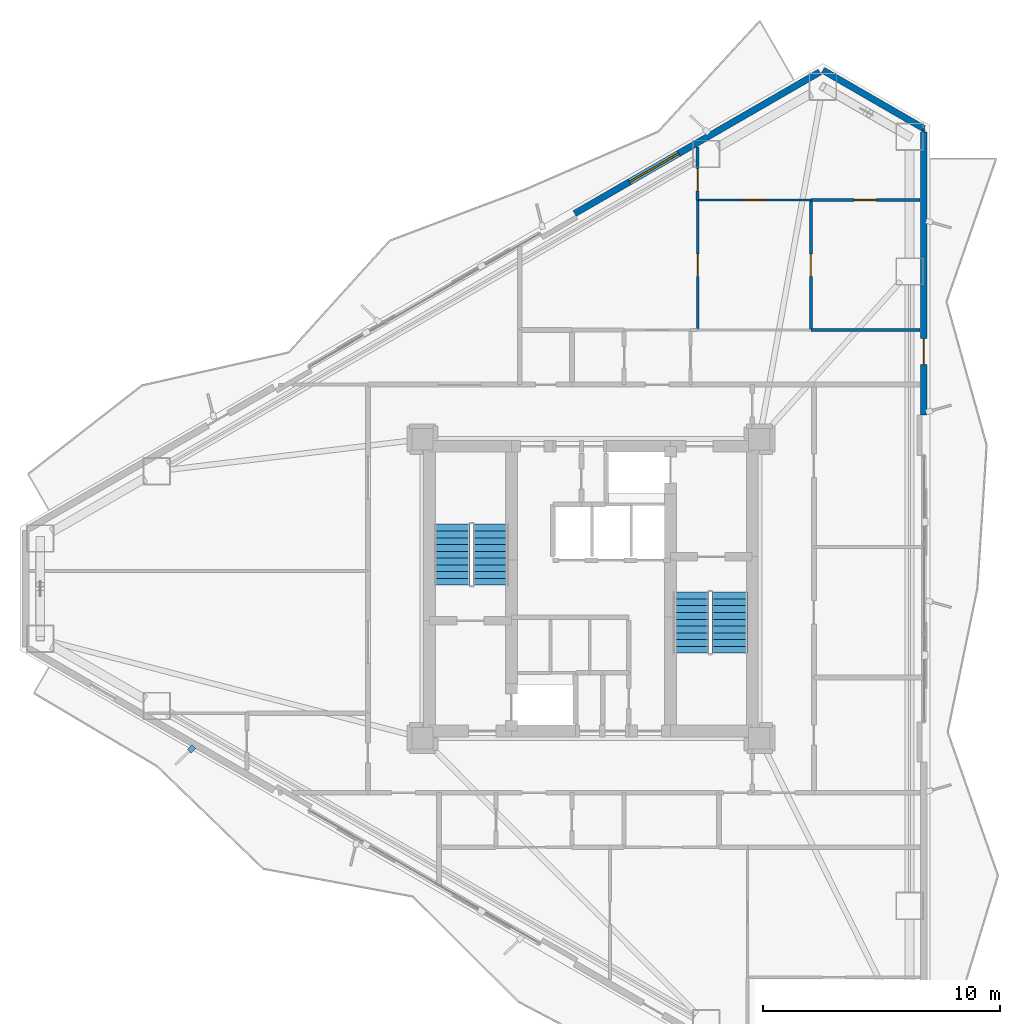
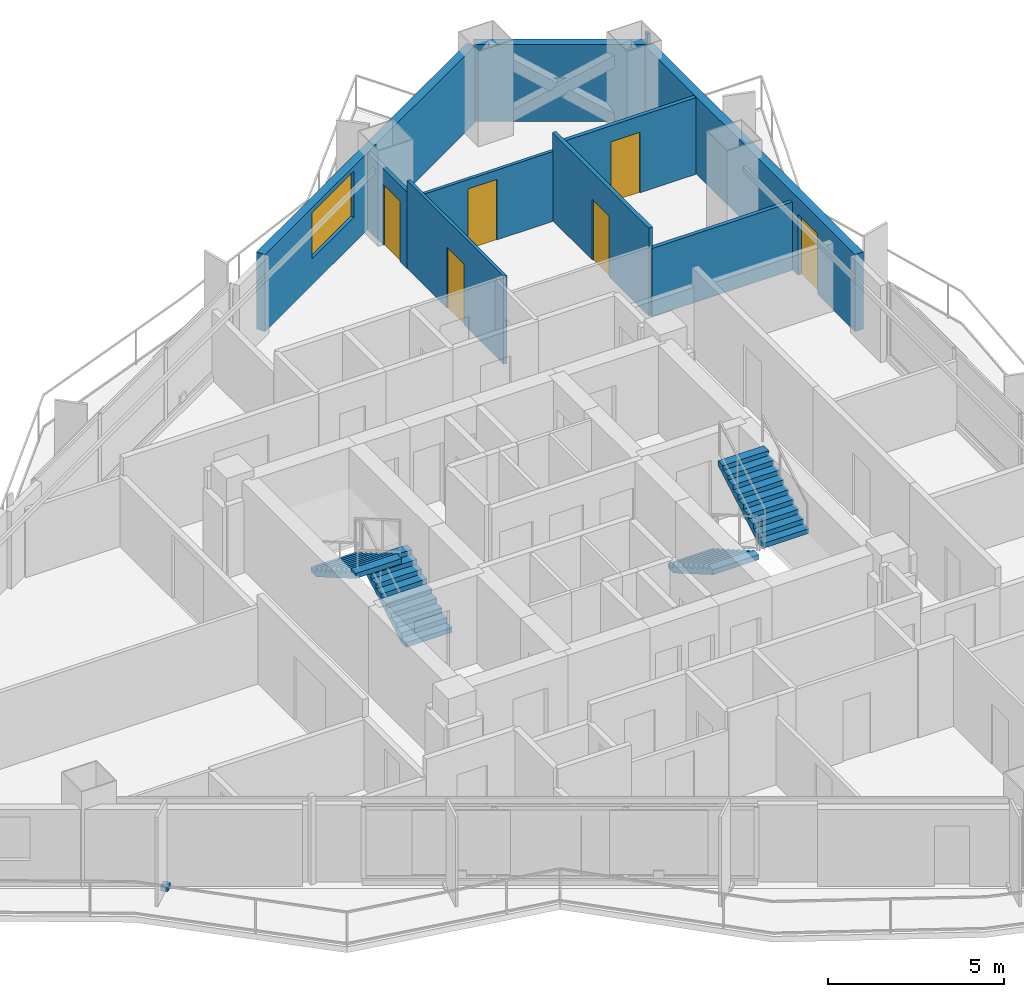
# One storey, part 19 of 22: 10 walls, 6 doors, 4 stair flights, 1 discrete accessory, 1 window, 7 openings, 2 elements without a shape of their own.
"""IFC4 building model written with IfcOpenShell, lengths in metres."""

from ifc_helpers import new_model, si_unit, direction, frame, frame_2d, origin, origin_2d, place, context, subcontext, project, spatial, polyline, rectangle, outline, extrude, material, layer, layer_set, type_object, element, fill, aggregate, save


model = new_model("IFC4")

# Units and contexts
model_context = context("Model", 3, precision=1e-05, world=origin(), true_north=direction((0.0, 1.0)))
body_context = subcontext(model_context, "Body", "Model", "MODEL_VIEW")
ifc_project = project(units=[si_unit("LENGTHUNIT", "METRE"), si_unit("AREAUNIT", "SQUARE_METRE"), si_unit("VOLUMEUNIT", "CUBIC_METRE"), si_unit("PLANEANGLEUNIT", "RADIAN"), si_unit("MASSUNIT", "GRAM", prefix="KILO")], contexts=[model_context])

# Site, building, storey
site_placement = place(None, origin())
site = spatial("IfcSite", under=ifc_project, at=site_placement, CompositionType="ELEMENT")
building_placement = place(site_placement, origin())
building = spatial("IfcBuilding", under=site, at=building_placement, Name="Mersakhor Tower and Convention Hall", CompositionType="ELEMENT")
storey_placement = place(building_placement, frame((0.0, 0.0, 90.0)))
storey = spatial("IfcBuildingStorey", under=building, at=storey_placement, Name="L24", CompositionType="ELEMENT", Elevation=90.0)

# Wall
ifc_material_1 = material(Name="Precast concrete C45/55", Category="concrete")
ifc_layer_1 = layer(ifc_material_1, 0.27490234375)
ifc_layer_set_1 = layer_set([ifc_layer_1], Name="Precast concrete C45/55")
wall_type_1 = type_object("IfcWallType", Name="WL-EXT-275", PredefinedType="SOLIDWALL", material=ifc_layer_set_1)
wall_1_placement = place(storey_placement, frame((38.77880859375, 48.6015625, 0.0), z_axis=(0.0, 0.0, 1.0), x_axis=(0.866011848704, -0.500023477353, 0.0)))
element("IfcWall", 1, at=wall_1_placement, inside=storey, type_object=wall_type_1, Name="L24 Chamfer Braced Spandrel Wall C1", PredefinedType="SOLIDWALL", context=body_context, shape_type="SweptSolid", body=[
    extrude(rectangle(XDim=4.914306640625, YDim=0.27490234375, at=frame_2d((2.45703125, 0.0))), origin(), (0.0, 0.0, 1.0), 2.669921875),
])

# Wall, opening, window
wall_2_placement = place(storey_placement, frame((28.3173828125, 42.561767578125, 0.0), z_axis=(0.0, 0.0, 1.0), x_axis=(0.866023023012, 0.500004123596, 0.0)))
wall_2 = element("IfcWall", 2, at=wall_2_placement, inside=storey, type_object=wall_type_1, Name="L24 Exterior Facade Wall F1-B3", PredefinedType="SOLIDWALL", context=body_context, shape_type="SweptSolid", body=[
    extrude(rectangle(XDim=11.9296875, YDim=0.27490234375, at=frame_2d((5.96484375, 0.0))), origin(), (0.0, 0.0, 1.0), 2.669921875),
])
opening_1_placement = place(wall_2_placement, frame((2.66796875, 0.0, 0.89990234375)))
opening_1 = element("IfcOpeningElement", 3, at=opening_1_placement, cuts=wall_2, Name="Opening W-05", PredefinedType="OPENING", context=body_context, shape_type="SweptSolid", body=[
    extrude(rectangle(XDim=2.39990234375, YDim=1.60009765625, at=frame_2d((1.199951171875, 0.800048828125))), frame((0.0, 0.1474609375, 0.0), z_axis=(0.0, -1.0, 0.0), x_axis=(1.0, 0.0, 0.0)), (0.0, 0.0, 1.0), 0.294921875),
])
ifc_material_2 = material(Name="Dark solar low-E glazed aluminium window", Category="aluminium")
window_type = type_object("IfcWindowType", Name="WN-RES-240x160", PartitioningType="SINGLE_PANEL", PredefinedType="WINDOW", material=ifc_material_2)
window_placement = place(opening_1_placement, origin())
window = element("IfcWindow", 4, at=window_placement, inside=storey, type_object=window_type, Name="L24 Facade Punched Window F1-B3", OverallHeight=1.60009765625, OverallWidth=2.39990234375, PartitioningType="SINGLE_PANEL", PredefinedType="WINDOW", context=body_context, shape_type="SweptSolid", body=[
    extrude(rectangle(XDim=2.39990234375, YDim=1.60009765625, at=frame_2d((1.199951171875, 0.800048828125))), frame((0.0, 0.030029296875, 0.0), z_axis=(0.0, -1.0, 0.0), x_axis=(1.0, 0.0, 0.0)), (0.0, 0.0, 1.0), 0.06005859375),
])
fill(opening_1, window)

# Wall, opening, door
wall_3_placement = place(storey_placement, frame((43.03466796875, 45.994384765625, 0.0), z_axis=(0.0, 0.0, 1.0), x_axis=(0.0, -1.0, 0.0)))
wall_3 = element("IfcWall", 5, at=wall_3_placement, inside=storey, type_object=wall_type_1, Name="L24 Exterior Facade Wall F2-B1", PredefinedType="SOLIDWALL", context=body_context, shape_type="SweptSolid", body=[
    extrude(rectangle(XDim=11.9296875, YDim=0.27490234375, at=frame_2d((5.96484375, 0.0))), origin(), (0.0, 0.0, 1.0), 2.669921875),
])
opening_2_placement = place(wall_3_placement, frame((8.7041015625, 0.0, 0.0)))
opening_2 = element("IfcOpeningElement", 6, at=opening_2_placement, cuts=wall_3, Name="Opening BD-02", PredefinedType="OPENING", context=body_context, shape_type="SweptSolid", body=[
    extrude(rectangle(XDim=1.10009765625, YDim=2.10009765625, at=frame_2d((0.550048828125, 1.050048828125))), frame((0.0, 0.1474609375, 0.0), z_axis=(0.0, -1.0, 0.0), x_axis=(1.0, 0.0, 0.0)), (0.0, 0.0, 1.0), 0.294921875),
])
ifc_material_3 = material(Name="Thermally broken dark aluminium and safety glass", Category="aluminium")
door_type_1 = type_object("IfcDoorType", Name="DR-BAL-110x210", OperationType="NOTDEFINED", PredefinedType="DOOR", material=ifc_material_3)
door_1_placement = place(opening_2_placement, origin())
door_1 = element("IfcDoor", 7, at=door_1_placement, inside=storey, type_object=door_type_1, Name="L24 Balcony Terrace Door F2-B1", OperationType="SINGLE_SWING_RIGHT", OverallHeight=2.10009765625, OverallWidth=1.10009765625, PredefinedType="DOOR", context=body_context, shape_type="SweptSolid", body=[
    extrude(rectangle(XDim=1.10009765625, YDim=2.10009765625, at=frame_2d((0.550048828125, 1.050048828125))), frame((0.0, 0.02490234375, 0.0), z_axis=(0.0, -1.0, 0.0), x_axis=(1.0, 0.0, 0.0)), (0.0, 0.0, 1.0), 0.050048828125),
])
fill(opening_2, door_1)

ifc_material_4 = material(Name="Lightweight gypsum partition", Category="other")
ifc_layer_2 = layer(ifc_material_4, 0.10009765625)
ifc_layer_set_2 = layer_set([ifc_layer_2], Name="Lightweight gypsum partition")
wall_type_2 = type_object("IfcWallType", Name="WL-PRT-100", PredefinedType="PARTITIONING", material=ifc_layer_set_2)
wall_4_placement = place(storey_placement, frame((33.5, 43.1298828125, 0.0), z_axis=(0.0, 0.0, 1.0), x_axis=(0.0, -1.0, 0.0)))
wall_4 = element("IfcWall", 8, at=wall_4_placement, inside=storey, type_object=wall_type_2, Name="L24 Interior Partition Wall P-098", PredefinedType="PARTITIONING", context=body_context, shape_type="SweptSolid", body=[
    extrude(rectangle(XDim=5.47998046875, YDim=0.10009765625, at=frame_2d((2.739990234375, 0.0))), origin(), (0.0, 0.0, 1.0), 3.050048828125),
])
opening_3_placement = place(wall_4_placement, frame((2.264892578125, 0.0, 0.0)))
opening_3 = element("IfcOpeningElement", 9, at=opening_3_placement, cuts=wall_4, Name="Opening RD-01", PredefinedType="OPENING", context=body_context, shape_type="SweptSolid", body=[
    extrude(rectangle(XDim=0.949951171875, YDim=2.10009765625, at=frame_2d((0.47509765625, 1.050048828125))), frame((0.0, 0.06005859375, 0.0), z_axis=(0.0, -1.0, 0.0), x_axis=(1.0, 0.0, 0.0)), (0.0, 0.0, 1.0), 0.1201171875),
])
ifc_material_5 = material(Name="Solid-core hardwood leaf in painted steel frame", Category="steel")
door_type_2 = type_object("IfcDoorType", Name="DR-INT-RM-095x210", OperationType="NOTDEFINED", PredefinedType="DOOR", material=ifc_material_5)
door_2_placement = place(opening_3_placement, origin())
door_2 = element("IfcDoor", 10, at=door_2_placement, inside=storey, type_object=door_type_2, Name="L24 L24 Flat N1 Living and Dining Room to L24 Flat N1 Bedroom 1 Door", OperationType="SINGLE_SWING_RIGHT", OverallHeight=2.10009765625, OverallWidth=0.949951171875, PredefinedType="DOOR", context=body_context, shape_type="SweptSolid", body=[
    extrude(rectangle(XDim=0.949951171875, YDim=2.10009765625, at=frame_2d((0.47509765625, 1.050048828125))), frame((0.0, 0.02490234375, 0.0), z_axis=(0.0, -1.0, 0.0), x_axis=(1.0, 0.0, 0.0)), (0.0, 0.0, 1.0), 0.050048828125),
])
fill(opening_3, door_2)

wall_5_placement = place(storey_placement, frame((33.5, 43.1298828125, 0.0), z_axis=(0.0, 0.0, 1.0), x_axis=(1.0, 0.0, 0.0)))
wall_5 = element("IfcWall", 11, at=wall_5_placement, inside=storey, type_object=wall_type_2, Name="L24 Interior Partition Wall P-100", PredefinedType="PARTITIONING", context=body_context, shape_type="SweptSolid", body=[
    extrude(rectangle(XDim=4.77001953125, YDim=0.10009765625, at=frame_2d((2.385009765625, 0.0))), origin(), (0.0, 0.0, 1.0), 2.4228515625),
])
opening_4_placement = place(wall_5_placement, frame((1.909912109375, 0.0, 0.0)))
opening_4 = element("IfcOpeningElement", 12, at=opening_4_placement, cuts=wall_5, Name="Opening RD-01", PredefinedType="OPENING", context=body_context, shape_type="SweptSolid", body=[
    extrude(rectangle(XDim=0.949951171875, YDim=2.10009765625, at=frame_2d((0.47509765625, 1.050048828125))), frame((0.0, 0.06005859375, 0.0), z_axis=(0.0, -1.0, 0.0), x_axis=(1.0, 0.0, 0.0)), (0.0, 0.0, 1.0), 0.1201171875),
])
door_3_placement = place(opening_4_placement, origin())
door_3 = element("IfcDoor", 13, at=door_3_placement, inside=storey, type_object=door_type_2, Name="L24 L24 Flat N1 Bedroom 1 to L24 Flat N1 Dining Room Door", OperationType="SINGLE_SWING_LEFT", OverallHeight=2.10009765625, OverallWidth=0.949951171875, PredefinedType="DOOR", context=body_context, shape_type="SweptSolid", body=[
    extrude(rectangle(XDim=0.949951171875, YDim=2.10009765625, at=frame_2d((0.47509765625, 1.050048828125))), frame((0.0, 0.02490234375, 0.0), z_axis=(0.0, -1.0, 0.0), x_axis=(1.0, 0.0, 0.0)), (0.0, 0.0, 1.0), 0.050048828125),
])
fill(opening_4, door_3)

# Walls
wall_6_placement = place(storey_placement, frame((43.034912109375, 46.14404296875, 0.0), z_axis=(0.0, 0.0, 1.0), x_axis=(0.0, -1.0, 0.0)))
element("IfcWall", 14, at=wall_6_placement, inside=storey, type_object=wall_type_2, Name="L24 Interior Partition Wall P-102", PredefinedType="PARTITIONING", context=body_context, shape_type="SweptSolid", body=[
    extrude(rectangle(XDim=0.149658203125, YDim=0.10009765625, at=frame_2d((0.07470703125, 0.0))), origin(), (0.0, 0.0, 1.0), 3.050048828125),
])
ifc_material_6 = material(Name="Gypsum board acoustic partition", Category="other")
ifc_layer_3 = layer(ifc_material_6, 0.125)
ifc_layer_set_3 = layer_set([ifc_layer_3], Name="Gypsum board acoustic partition")
wall_type_3 = type_object("IfcWallType", Name="WL-PRT-125", PredefinedType="PARTITIONING", material=ifc_layer_set_3)
wall_7_placement = place(storey_placement, frame((38.27001953125, 37.64990234375, 0.0), z_axis=(0.0, 0.0, 1.0), x_axis=(1.0, 0.0, 0.0)))
element("IfcWall", 15, at=wall_7_placement, inside=storey, type_object=wall_type_3, Name="L24 Interior Partition Wall P-077", PredefinedType="PARTITIONING", context=body_context, shape_type="SweptSolid", body=[
    extrude(rectangle(XDim=4.60302734375, YDim=0.125, at=frame_2d((2.301513671875, 0.0))), origin(), (0.0, 0.0, 1.0), 2.364990234375),
])

# Wall, opening, door
wall_8_placement = place(storey_placement, frame((33.5, 45.3671875, 0.0), z_axis=(0.0, 0.0, 1.0), x_axis=(0.0, -1.0, 0.0)))
wall_8 = element("IfcWall", 16, at=wall_8_placement, inside=storey, type_object=wall_type_3, Name="L24 Interior Partition Wall P-097", PredefinedType="PARTITIONING", context=body_context, shape_type="SweptSolid", body=[
    extrude(rectangle(XDim=2.2373046875, YDim=0.125, at=frame_2d((1.11865234375, 0.0))), origin(), (0.0, 0.0, 1.0), 2.660400390625),
])
opening_5_placement = place(wall_8_placement, frame((0.897216796875, 0.0, 0.0)))
opening_5 = element("IfcOpeningElement", 17, at=opening_5_placement, cuts=wall_8, Name="Opening RD-01", PredefinedType="OPENING", context=body_context, shape_type="SweptSolid", body=[
    extrude(rectangle(XDim=0.949951171875, YDim=2.10009765625, at=frame_2d((0.47509765625, 1.050048828125))), frame((0.0, 0.072509765625, 0.0), z_axis=(0.0, -1.0, 0.0), x_axis=(1.0, 0.0, 0.0)), (0.0, 0.0, 1.0), 0.14501953125),
])
door_4_placement = place(opening_5_placement, origin())
door_4 = element("IfcDoor", 18, at=door_4_placement, inside=storey, type_object=door_type_2, Name="L24 L24 Flat N1 Living and Dining Room to L24 Flat N1 Dining Room Door", OperationType="SINGLE_SWING_LEFT", OverallHeight=2.10009765625, OverallWidth=0.949951171875, PredefinedType="DOOR", context=body_context, shape_type="SweptSolid", body=[
    extrude(rectangle(XDim=0.949951171875, YDim=2.10009765625, at=frame_2d((0.47509765625, 1.050048828125))), frame((0.0, 0.02490234375, 0.0), z_axis=(0.0, -1.0, 0.0), x_axis=(1.0, 0.0, 0.0)), (0.0, 0.0, 1.0), 0.050048828125),
])
fill(opening_5, door_4)

wall_9_placement = place(storey_placement, frame((38.27001953125, 43.1298828125, 0.0), z_axis=(0.0, 0.0, 1.0), x_axis=(0.0, -1.0, 0.0)))
wall_9 = element("IfcWall", 19, at=wall_9_placement, inside=storey, type_object=wall_type_3, Name="L24 Interior Partition Wall P-099", PredefinedType="PARTITIONING", context=body_context, shape_type="SweptSolid", body=[
    extrude(rectangle(XDim=5.47998046875, YDim=0.125, at=frame_2d((2.739990234375, 0.0))), origin(), (0.0, 0.0, 1.0), 3.050048828125),
])
opening_6_placement = place(wall_9_placement, frame((2.264892578125, 0.0, 0.0)))
opening_6 = element("IfcOpeningElement", 20, at=opening_6_placement, cuts=wall_9, Name="Opening RD-01", PredefinedType="OPENING", context=body_context, shape_type="SweptSolid", body=[
    extrude(rectangle(XDim=0.949951171875, YDim=2.10009765625, at=frame_2d((0.47509765625, 1.050048828125))), frame((0.0, 0.072509765625, 0.0), z_axis=(0.0, -1.0, 0.0), x_axis=(1.0, 0.0, 0.0)), (0.0, 0.0, 1.0), 0.14501953125),
])
door_5_placement = place(opening_6_placement, origin())
door_5 = element("IfcDoor", 21, at=door_5_placement, inside=storey, type_object=door_type_2, Name="L24 L24 Flat N1 Bedroom 1 to L24 Flat N1 Study Room Door", OperationType="SINGLE_SWING_RIGHT", OverallHeight=2.10009765625, OverallWidth=0.949951171875, PredefinedType="DOOR", context=body_context, shape_type="SweptSolid", body=[
    extrude(rectangle(XDim=0.949951171875, YDim=2.10009765625, at=frame_2d((0.47509765625, 1.050048828125))), frame((0.0, 0.02490234375, 0.0), z_axis=(0.0, -1.0, 0.0), x_axis=(1.0, 0.0, 0.0)), (0.0, 0.0, 1.0), 0.050048828125),
])
fill(opening_6, door_5)

wall_10_placement = place(storey_placement, frame((38.27001953125, 43.1298828125, 0.0), z_axis=(0.0, 0.0, 1.0), x_axis=(1.0, 0.0, 0.0)))
wall_10 = element("IfcWall", 22, at=wall_10_placement, inside=storey, type_object=wall_type_3, Name="L24 Interior Partition Wall P-101", PredefinedType="PARTITIONING", context=body_context, shape_type="SweptSolid", body=[
    extrude(rectangle(XDim=4.60302734375, YDim=0.125, at=frame_2d((2.301513671875, 0.0))), origin(), (0.0, 0.0, 1.0), 2.660400390625),
])
opening_7_placement = place(wall_10_placement, frame((1.826416015625, 0.0, 0.0)))
opening_7 = element("IfcOpeningElement", 23, at=opening_7_placement, cuts=wall_10, Name="Opening RD-01", PredefinedType="OPENING", context=body_context, shape_type="SweptSolid", body=[
    extrude(rectangle(XDim=0.949951171875, YDim=2.10009765625, at=frame_2d((0.47509765625, 1.050048828125))), frame((0.0, 0.072509765625, 0.0), z_axis=(0.0, -1.0, 0.0), x_axis=(1.0, 0.0, 0.0)), (0.0, 0.0, 1.0), 0.14501953125),
])
door_6_placement = place(opening_7_placement, origin())
door_6 = element("IfcDoor", 24, at=door_6_placement, inside=storey, type_object=door_type_2, Name="L24 L24 Flat N1 Study Room to L24 Flat N1 Dining Room Door", OperationType="SINGLE_SWING_RIGHT", OverallHeight=2.10009765625, OverallWidth=0.949951171875, PredefinedType="DOOR", context=body_context, shape_type="SweptSolid", body=[
    extrude(rectangle(XDim=0.949951171875, YDim=2.10009765625, at=frame_2d((0.47509765625, 1.050048828125))), frame((0.0, 0.02490234375, 0.0), z_axis=(0.0, -1.0, 0.0), x_axis=(1.0, 0.0, 0.0)), (0.0, 0.0, 1.0), 0.050048828125),
])
fill(opening_7, door_6)

# Stair, stair flights
ifc_material_7 = material(Name="Concrete C45/55", Category="concrete")
stair_type = type_object("IfcStairType", Name="ST-TWR-20R", PredefinedType="HALF_TURN_STAIR", material=ifc_material_7)
stair_1_placement = place(storey_placement, origin())
stair_1 = element("IfcStair", 25, at=stair_1_placement, inside=storey, type_object=stair_type, Name="L24 Tower Protected Exit Stair ST-1", PredefinedType="HALF_TURN_STAIR")
ifc_material_8 = material(Name="Concrete C45/55", Category="concrete")
stair_flight_type = type_object("IfcStairFlightType", Name="SFL-TWR-20R", PredefinedType="STRAIGHT", material=ifc_material_8)
stair_flight_1_placement = place(storey_placement, frame((24.800048828125, 26.89990234375, 0.0), z_axis=(0.0, 0.0, 1.0), x_axis=(0.0, 1.0, 0.0)))
stair_flight_1 = element("IfcStairFlight", 26, at=stair_flight_1_placement, type_object=stair_flight_type, Name="ST-1 flight 1", NumberOfRisers=10, NumberOfTreads=9, PredefinedType="STRAIGHT", RiserHeight=0.165, TreadLength=0.285, context=body_context, shape_type="SweptSolid", body=[
    extrude(outline(polyline([(0.0, 0.0), (0.0, 0.1650390625), (0.284912109375, 0.1650390625), (0.284912109375, 0.330078125), (0.570068359375, 0.330078125), (0.570068359375, 0.4951171875), (0.85498046875, 0.4951171875), (0.85498046875, 0.659912109375), (1.139892578125, 0.659912109375), (1.139892578125, 0.824951171875), (1.425048828125, 0.824951171875), (1.425048828125, 0.989990234375), (1.7099609375, 0.989990234375), (1.7099609375, 1.155029296875), (1.9951171875, 1.155029296875), (1.9951171875, 1.320068359375), (2.280029296875, 1.320068359375), (2.280029296875, 1.485107421875), (2.56494140625, 1.485107421875), (2.56494140625, 1.64990234375), (2.56494140625, 1.311767578125), (0.299072265625, 0.0), (0.0, 0.0)])), frame((0.0, 0.75, 0.0), z_axis=(0.0, -1.0, 0.0), x_axis=(1.0, 0.0, 0.0)), (0.0, 0.0, 1.0), 1.5),
])
stair_flight_2_placement = place(storey_placement, frame((23.14990234375, 29.465087890625, 1.64990234375), z_axis=(0.0, 0.0, 1.0), x_axis=(0.0, -1.0, 0.0)))
stair_flight_2 = element("IfcStairFlight", 27, at=stair_flight_2_placement, type_object=stair_flight_type, Name="ST-1 flight 2", NumberOfRisers=10, NumberOfTreads=9, PredefinedType="STRAIGHT", RiserHeight=0.165, TreadLength=0.285, context=body_context, shape_type="SweptSolid", body=[
    extrude(outline(polyline([(0.0, 0.0), (0.0, 0.1650390625), (0.284912109375, 0.1650390625), (0.284912109375, 0.330078125), (0.570068359375, 0.330078125), (0.570068359375, 0.4951171875), (0.85498046875, 0.4951171875), (0.85498046875, 0.659912109375), (1.139892578125, 0.659912109375), (1.139892578125, 0.824951171875), (1.425048828125, 0.824951171875), (1.425048828125, 0.989990234375), (1.7099609375, 0.989990234375), (1.7099609375, 1.155029296875), (1.9951171875, 1.155029296875), (1.9951171875, 1.320068359375), (2.280029296875, 1.320068359375), (2.280029296875, 1.485107421875), (2.56494140625, 1.485107421875), (2.56494140625, 1.64990234375), (2.56494140625, 1.311767578125), (0.299072265625, 0.0), (0.0, 0.0)])), frame((0.0, 0.75, 0.0), z_axis=(0.0, -1.0, 0.0), x_axis=(1.0, 0.0, 0.0)), (0.0, 0.0, 1.0), 1.5),
])
aggregate(stair_1, [stair_flight_1, stair_flight_2])

stair_2_placement = place(storey_placement, origin())
stair_2 = element("IfcStair", 28, at=stair_2_placement, inside=storey, type_object=stair_type, Name="L24 Tower Protected Exit Stair ST-2", PredefinedType="HALF_TURN_STAIR")
stair_flight_3_placement = place(storey_placement, frame((33.199951171875, 26.60009765625, 0.0), z_axis=(0.0, 0.0, 1.0), x_axis=(0.0, -1.0, 0.0)))
stair_flight_3 = element("IfcStairFlight", 29, at=stair_flight_3_placement, type_object=stair_flight_type, Name="ST-2 flight 1", NumberOfRisers=10, NumberOfTreads=9, PredefinedType="STRAIGHT", RiserHeight=0.165, TreadLength=0.285, context=body_context, shape_type="SweptSolid", body=[
    extrude(outline(polyline([(0.0, 0.0), (0.0, 0.1650390625), (0.284912109375, 0.1650390625), (0.284912109375, 0.330078125), (0.570068359375, 0.330078125), (0.570068359375, 0.4951171875), (0.85498046875, 0.4951171875), (0.85498046875, 0.659912109375), (1.139892578125, 0.659912109375), (1.139892578125, 0.824951171875), (1.425048828125, 0.824951171875), (1.425048828125, 0.989990234375), (1.7099609375, 0.989990234375), (1.7099609375, 1.155029296875), (1.9951171875, 1.155029296875), (1.9951171875, 1.320068359375), (2.280029296875, 1.320068359375), (2.280029296875, 1.485107421875), (2.56494140625, 1.485107421875), (2.56494140625, 1.64990234375), (2.56494140625, 1.311767578125), (0.299072265625, 0.0), (0.0, 0.0)])), frame((0.0, 0.75, 0.0), z_axis=(0.0, -1.0, 0.0), x_axis=(1.0, 0.0, 0.0)), (0.0, 0.0, 1.0), 1.5),
])
stair_flight_4_placement = place(storey_placement, frame((34.85009765625, 24.034912109375, 1.64990234375), z_axis=(0.0, 0.0, 1.0), x_axis=(0.0, 1.0, 0.0)))
stair_flight_4 = element("IfcStairFlight", 30, at=stair_flight_4_placement, type_object=stair_flight_type, Name="ST-2 flight 2", NumberOfRisers=10, NumberOfTreads=9, PredefinedType="STRAIGHT", RiserHeight=0.165, TreadLength=0.285, context=body_context, shape_type="SweptSolid", body=[
    extrude(outline(polyline([(0.0, 0.0), (0.0, 0.1650390625), (0.284912109375, 0.1650390625), (0.284912109375, 0.330078125), (0.570068359375, 0.330078125), (0.570068359375, 0.4951171875), (0.85498046875, 0.4951171875), (0.85498046875, 0.659912109375), (1.139892578125, 0.659912109375), (1.139892578125, 0.824951171875), (1.425048828125, 0.824951171875), (1.425048828125, 0.989990234375), (1.7099609375, 0.989990234375), (1.7099609375, 1.155029296875), (1.9951171875, 1.155029296875), (1.9951171875, 1.320068359375), (2.280029296875, 1.320068359375), (2.280029296875, 1.485107421875), (2.56494140625, 1.485107421875), (2.56494140625, 1.64990234375), (2.56494140625, 1.311767578125), (0.299072265625, 0.0), (0.0, 0.0)])), frame((0.0, 0.75, 0.0), z_axis=(0.0, -1.0, 0.0), x_axis=(1.0, 0.0, 0.0)), (0.0, 0.0, 1.0), 1.5),
])
aggregate(stair_2, [stair_flight_3, stair_flight_4])

# Discrete accessory
ifc_material_9 = material(Name="Galvanised steel bracket", Category="steel")
ifc_layer_4 = layer(ifc_material_9, 0.02001953125)
ifc_layer_set_4 = layer_set([ifc_layer_4], Name="Galvanised steel bracket")
discrete_accessory_type = type_object("IfcDiscreteAccessoryType", Name="ACC-BRK-STL", PredefinedType="BRACKET", material=ifc_layer_set_4)
discrete_accessory_placement = place(storey_placement, frame((12.1728515625, 19.993896484375, -0.02001953125), z_axis=(0.0, 0.0, 1.0), x_axis=(-0.719339800339, -0.694658370459, 0.0)))
element("IfcDiscreteAccessory", 31, at=discrete_accessory_placement, inside=storey, type_object=discrete_accessory_type, Name="L24 Facade Fin Base Cleat Bracket FBRK-3-4", PredefinedType="BRACKET", context=body_context, shape_type="SweptSolid", body=[
    extrude(rectangle(XDim=0.280029296875, YDim=0.219970703125, at=origin_2d()), origin(), (0.0, 0.0, 1.0), 0.159912109375),
])

save(model, "model.ifc")
